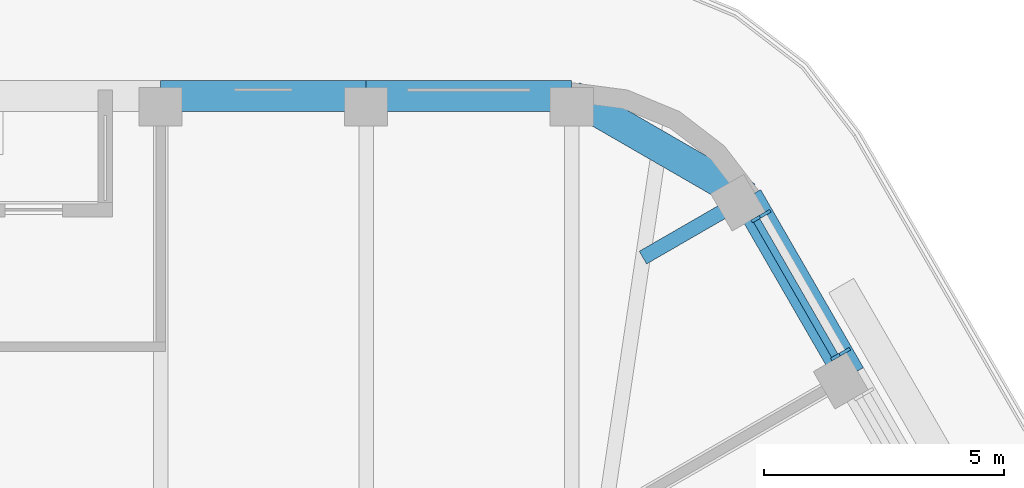
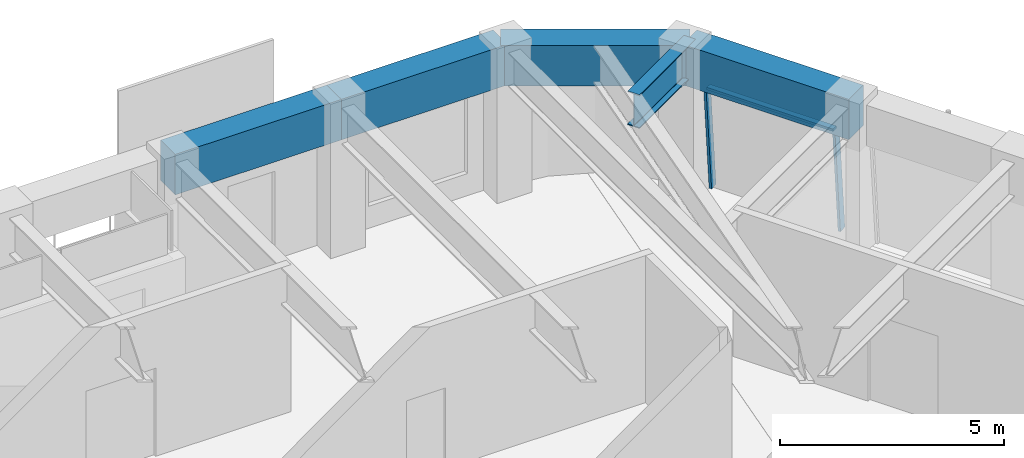
# One storey, part 11 of 19: 5 beams, 3 members, 1 element without a shape of its own.
"""IFC4 building model written with IfcOpenShell, lengths in metres."""

import ifcopenshell
import ifcopenshell.guid

model = None  # the IFC model being written
_history = None  # IfcOwnerHistory: only IFC2X3 demands one
_inside = {}  # id of a spatial element -> (the spatial element, [elements in it])
_under = {}  # id of a project, library or spatial element -> (it, [spatial elements below it])
_declared = {}  # id of a project -> (the project, [libraries it declares])
_typed = {}  # id of a type object -> (the type object, [elements of that type])
_made_of = {}  # id of a material, layer set ... -> (it, [elements and type objects made of it])


def new_model(schema):
    """Start an empty IFC model of exactly this schema.

    Asked for "IFC4X3", IfcOpenShell would pick the latest addendum, in which some entities
    have other attributes; the version numbers below select the first issue.
    IFC2X3 requires an IfcOwnerHistory on every rooted entity: one is made here for all.
    """
    global model, _history
    if schema == "IFC4X3":
        model = ifcopenshell.file(schema_version=(4, 3, 0, 0))
    else:
        model = ifcopenshell.file(schema=schema)
    _inside.clear()
    _under.clear()
    _declared.clear()
    _typed.clear()
    _made_of.clear()
    _history = None
    if model.schema == "IFC2X3":
        org = make("IfcOrganization", Name="unknown")
        user = make(
            "IfcPersonAndOrganization",
            ThePerson=make("IfcPerson", FamilyName="unknown"),
            TheOrganization=org,
        )
        app = make(
            "IfcApplication",
            ApplicationDeveloper=org,
            Version="unknown",
            ApplicationFullName="unknown",
            ApplicationIdentifier="unknown",
        )
        _history = make(
            "IfcOwnerHistory",
            OwningUser=user,
            OwningApplication=app,
            ChangeAction="ADDED",
            CreationDate=0,
        )
    return model


def make(cls, **values):
    """One entity of the class cls with the attributes given. An attribute that is None is left unset."""
    return model.create_entity(
        cls, **{name: value for name, value in values.items() if value is not None}
    )


def rooted(cls, **values):
    """An entity with a GlobalId (a new one), such as an element, a storey or a relation."""
    return make(cls, GlobalId=ifcopenshell.guid.new(), OwnerHistory=_history, **values)


def si_unit(unit_type, name, prefix=None):
    """IfcSIUnit, for example si_unit("LENGTHUNIT", "METRE", prefix="MILLI")."""
    return make("IfcSIUnit", UnitType=unit_type, Prefix=prefix, Name=name)


def assignment(units):
    """IfcUnitAssignment: the units of a project."""
    return None if units is None else make("IfcUnitAssignment", Units=units)


def point(xyz):
    """IfcCartesianPoint."""
    return None if xyz is None else make("IfcCartesianPoint", Coordinates=xyz)


def direction(xyz):
    """IfcDirection."""
    return None if xyz is None else make("IfcDirection", DirectionRatios=xyz)


def frame(location, z_axis=None, x_axis=None):
    """IfcAxis2Placement3D, a coordinate frame: its origin and axes. An axis left out is left unset."""
    return make(
        "IfcAxis2Placement3D",
        Location=point(location),
        Axis=direction(z_axis),
        RefDirection=direction(x_axis),
    )


def frame_2d(location, x_axis=None):
    """IfcAxis2Placement2D, a coordinate frame in the plane: its origin and x axis."""
    return make(
        "IfcAxis2Placement2D", Location=point(location), RefDirection=direction(x_axis)
    )


def origin():
    """The frame at (0, 0, 0) with its axes left unset."""
    return frame((0.0, 0.0, 0.0))


def origin_2d():
    """The frame at (0, 0) in the plane with its x axis left unset."""
    return frame_2d((0.0, 0.0))


def place(relative_to, where):
    """IfcLocalPlacement: puts the frame where relative to a parent placement (None: the world)."""
    return make(
        "IfcLocalPlacement", PlacementRelTo=relative_to, RelativePlacement=where
    )


def context(
    kind, dimensions, precision=None, world=None, true_north=None, identifier=None
):
    """IfcGeometricRepresentationContext, for example the 3D "Model" context."""
    return make(
        "IfcGeometricRepresentationContext",
        ContextIdentifier=identifier,
        ContextType=kind,
        CoordinateSpaceDimension=dimensions,
        Precision=precision,
        WorldCoordinateSystem=world,
        TrueNorth=true_north,
    )


def subcontext(parent, identifier, kind, view, scale=None):
    """IfcGeometricRepresentationSubContext, for example "Body" below "Model"."""
    return make(
        "IfcGeometricRepresentationSubContext",
        ContextIdentifier=identifier,
        ContextType=kind,
        ParentContext=parent,
        TargetScale=scale,
        TargetView=view,
    )


def project(units=None, contexts=None):
    """IfcProject with its units and contexts."""
    return rooted(
        "IfcProject",
        Name="project",
        RepresentationContexts=contexts,
        UnitsInContext=assignment(units),
    )


def spatial(cls, under=None, at=None, **own):
    """A site, building, storey or space (cls), placed at a placement, below another one or the project."""
    s = rooted(cls, ObjectPlacement=at, **own)
    if under is not None:
        _under.setdefault(under.id(), (under, []))[1].append(s)
    return s


def profile(cls, at=None, kind="AREA", **sizes):
    """A parametric profile (cls). Its sizes go by their IFC names, for example OverallWidth=200.0."""
    return make(cls, ProfileType=kind, Position=at, **sizes)


def rectangle(**sizes):
    """IfcRectangleProfileDef."""
    return profile("IfcRectangleProfileDef", **sizes)


def i_section(**sizes):
    """IfcIShapeProfileDef."""
    return profile("IfcIShapeProfileDef", **sizes)


def extrude(swept, where, along, depth):
    """IfcExtrudedAreaSolid: the profile swept, set in the frame where, extruded along a direction by depth."""
    return make(
        "IfcExtrudedAreaSolid",
        SweptArea=swept,
        Position=where,
        ExtrudedDirection=direction(along),
        Depth=depth,
    )


def shape(context_of_items, identifier, shape_type, items):
    """IfcShapeRepresentation: the items that make up one representation, for example the "Body"."""
    return make(
        "IfcShapeRepresentation",
        ContextOfItems=context_of_items,
        RepresentationIdentifier=identifier,
        RepresentationType=shape_type,
        Items=items,
    )


def material(Name=None, Category=None):
    """IfcMaterial."""
    return make("IfcMaterial", Name=Name, Category=Category)


def material_profile(
    of_material, cross_section, Name=None, Category=None, Priority=None
):
    """IfcMaterialProfile: a cross section and its material."""
    return make(
        "IfcMaterialProfile",
        Name=Name,
        Material=of_material,
        Profile=cross_section,
        Priority=Priority,
        Category=Category,
    )


def profile_set(profiles, Name=None, composite=None):
    """IfcMaterialProfileSet."""
    return make(
        "IfcMaterialProfileSet",
        Name=Name,
        MaterialProfiles=profiles,
        CompositeProfile=composite,
    )


def made_of(thing, what):
    """Note that an element or type object is made of a material, layer set ...; save() writes the relation."""
    if what is not None:
        _made_of.setdefault(what.id(), (what, []))[1].append(thing)
    return thing


def type_object(cls, material=None, **own):
    """A type object (cls), such as IfcWallType, which elements share."""
    return made_of(rooted(cls, **own), material)


def element(
    cls,
    number,
    at=None,
    inside=None,
    cuts=None,
    type_object=None,
    material=None,
    context=None,
    identifier="Body",
    shape_type=None,
    held_by="IfcProductDefinitionShape",
    body=None,
    shapes=None,
    **own,
):
    """One element of the class cls, such as IfcWall. Its Tag is "e" and its number.

    at: its placement. inside: the storey or other place that contains it. cuts: it is an
    opening in that element (IfcRelVoidsElement). A single representation is given by context,
    identifier, shape_type and body (its items); several are given by shapes. held_by: the class
    of the entity that holds the representations. save() writes the other relations.
    """
    e = rooted(cls, Tag="e%d" % number, ObjectPlacement=at, **own)
    if body is not None:
        shapes = [shape(context, identifier, shape_type, body)]
    if shapes is not None:
        e.Representation = make(held_by, Representations=shapes)
    if inside is not None:
        _inside.setdefault(inside.id(), (inside, []))[1].append(e)
    if cuts is not None:
        rooted(
            "IfcRelVoidsElement", RelatingBuildingElement=cuts, RelatedOpeningElement=e
        )
    if type_object is not None:
        _typed.setdefault(type_object.id(), (type_object, []))[1].append(e)
    return made_of(e, material)


def aggregate(whole, parts):
    """IfcRelAggregates: a whole, such as a stair, and the parts it consists of."""
    return rooted("IfcRelAggregates", RelatingObject=whole, RelatedObjects=parts)


def save(model, path):
    """Write the relations noted so far, then the file.

    IfcRelAggregates (storeys below a building ...), IfcRelContainedInSpatialStructure (elements
    in a storey), IfcRelDefinesByType, IfcRelAssociatesMaterial and IfcRelDeclares: one each for
    every whole, place, type object, material and project.
    """
    for whole, parts in _under.values():
        aggregate(whole, parts)
    for where, things in _inside.values():
        rooted(
            "IfcRelContainedInSpatialStructure",
            RelatedElements=things,
            RelatingStructure=where,
        )
    for kind, things in _typed.values():
        rooted("IfcRelDefinesByType", RelatedObjects=things, RelatingType=kind)
    for what, things in _made_of.values():
        rooted("IfcRelAssociatesMaterial", RelatedObjects=things, RelatingMaterial=what)
    for by, libraries in _declared.values():
        rooted("IfcRelDeclares", RelatingContext=by, RelatedDefinitions=libraries)
    model.write(path)


model = new_model("IFC4")

# Units and contexts
model_context = context("Model", 3, precision=1e-05, world=origin(), true_north=direction((0.0, 1.0)))
body_context = subcontext(model_context, "Body", "Model", "MODEL_VIEW")
ifc_project = project(units=[si_unit("LENGTHUNIT", "METRE"), si_unit("AREAUNIT", "SQUARE_METRE"), si_unit("VOLUMEUNIT", "CUBIC_METRE"), si_unit("PLANEANGLEUNIT", "RADIAN"), si_unit("MASSUNIT", "GRAM", prefix="KILO")], contexts=[model_context])

# Site, building, storey
site_placement = place(None, origin())
site = spatial("IfcSite", under=ifc_project, at=site_placement, CompositionType="ELEMENT")
building_placement = place(site_placement, origin())
building = spatial("IfcBuilding", under=site, at=building_placement, Name="Tarfa Lantern Tower", CompositionType="ELEMENT")
storey_placement = place(building_placement, frame((0.0, 0.0, 353.5)))
storey = spatial("IfcBuildingStorey", under=building, at=storey_placement, Name="L80", CompositionType="ELEMENT", Elevation=353.5)

# Curtain wall, members
ifc_material_1 = material(Name="Aluminium framed curtain wall", Category="aluminium")
curtain_wall_type = type_object("IfcCurtainWallType", Name="CW4 CANTED GLAZING EXECUTIVE ZONE 2900", PredefinedType="USERDEFINED", material=ifc_material_1)
curtain_wall_placement = place(storey_placement, origin())
curtain_wall = element("IfcCurtainWall", 1, at=curtain_wall_placement, inside=storey, type_object=curtain_wall_type, Name="CW4 NE L80", ObjectType="CURTAIN WALL", PredefinedType="USERDEFINED")
ifc_material_2 = material(Name="Aluminium mullion", Category="aluminium")
ifc_material_profile_1 = material_profile(ifc_material_2, rectangle(XDim=0.06494140625, YDim=0.199951171875, at=origin_2d()), Name="AL MULLION 65x200")
ifc_profile_set_1 = profile_set([ifc_material_profile_1], Name="Aluminium mullion")
member_type_1 = type_object("IfcMemberType", Name="CWM1 MULLION 65x200", PredefinedType="MULLION", material=ifc_profile_set_1)
member_1_placement = place(storey_placement, frame((18.556396484375, 21.159423828125, 0.0), z_axis=(-0.074399820079, -0.042945555672, 0.996303340364), x_axis=(0.499919672301, -0.866071776036, 0.0)))
member_1 = element("IfcMember", 2, at=member_1_placement, type_object=member_type_1, Name="CW4 mullion 1", PredefinedType="MULLION", context=body_context, shape_type="SweptSolid", body=[
    extrude(rectangle(XDim=0.06494140625, YDim=0.199951171875, at=origin_2d()), origin(), (0.0, 0.0, 1.0), 2.91064453125),
])
member_2_placement = place(storey_placement, frame((16.897705078125, 24.0322265625, 0.0), z_axis=(-0.074316405553, -0.042945823525, 0.996309554359), x_axis=(0.500342721131, -0.865827443207, 0.0)))
member_2 = element("IfcMember", 3, at=member_2_placement, type_object=member_type_1, Name="CW4 mullion 2", PredefinedType="MULLION", context=body_context, shape_type="SweptSolid", body=[
    extrude(rectangle(XDim=0.06494140625, YDim=0.199951171875, at=origin_2d()), origin(), (0.0, 0.0, 1.0), 2.91064453125),
])
ifc_material_3 = material(Name="Aluminium transom", Category="aluminium")
ifc_material_profile_2 = material_profile(ifc_material_3, rectangle(XDim=0.14990234375, YDim=0.06494140625, at=origin_2d()), Name="AL TRANSOM 150x65")
ifc_profile_set_2 = profile_set([ifc_material_profile_2], Name="Aluminium transom")
member_type_2 = type_object("IfcMemberType", Name="CWT1 TRANSOM 150x65", PredefinedType="USERDEFINED", material=ifc_profile_set_2)
member_3_placement = place(storey_placement, frame((18.325927734375, 21.06396484375, 2.867431640625), z_axis=(-0.499982393232, 0.866035568818, 0.0), x_axis=(-0.866035568818, -0.499982393232, 0.0)))
member_3 = element("IfcMember", 4, at=member_3_placement, type_object=member_type_2, Name="CW4 transom 1.2", ObjectType="TRANSOM", PredefinedType="USERDEFINED", context=body_context, shape_type="SweptSolid", body=[
    extrude(rectangle(XDim=0.14990234375, YDim=0.06494140625, at=origin_2d()), origin(), (0.0, 0.0, 1.0), 3.251953125),
])
aggregate(curtain_wall, [member_1, member_2, member_3])

# Beams
ifc_material_4 = material(Name="Concrete C80/95", Category="concrete")
ifc_material_profile_3 = material_profile(ifc_material_4, rectangle(XDim=0.64990234375, YDim=1.10009765625, at=origin_2d()), Name="RC 650x1100")
ifc_profile_set_3 = profile_set([ifc_material_profile_3], Name="Concrete C80/95")
beam_type_1 = type_object("IfcBeamType", Name="EB4 RC 650x1100", PredefinedType="SPANDREL", material=ifc_profile_set_3)
beam_1_placement = place(storey_placement, frame((18.6416015625, 20.651611328125, 3.449951171875), z_axis=(-0.499959351497, 0.866048870937, 0.0), x_axis=(-0.866048870937, -0.499959351497, 0.0)))
element("IfcBeam", 5, at=beam_1_placement, inside=storey, type_object=beam_type_1, Name="Edge beam NE5", PredefinedType="SPANDREL", context=body_context, shape_type="SweptSolid", body=[
    extrude(rectangle(XDim=0.64990234375, YDim=1.10009765625, at=origin_2d()), origin(), (0.0, 0.0, 1.0), 4.281982421875),
])
beam_2_placement = place(storey_placement, frame((16.500732421875, 24.360107421875, 3.449951171875), z_axis=(-0.866048788483, 0.499959494327, 0.0), x_axis=(-0.499959494327, -0.866048788483, 0.0)))
element("IfcBeam", 6, at=beam_2_placement, inside=storey, type_object=beam_type_1, Name="Edge beam NE6", PredefinedType="SPANDREL", context=body_context, shape_type="SweptSolid", body=[
    extrude(rectangle(XDim=0.64990234375, YDim=1.10009765625, at=origin_2d()), origin(), (0.0, 0.0, 1.0), 4.219970703125),
])
for number, where, z_axis, x_axis, name in (
    (7, (12.845947265625, 26.469970703125, 3.449951171875), (-1.0, 0.0, 0.0), (0.0, -1.0, 0.0), "Edge beam N0"),
    (8, (8.56396484375, 26.469970703125, 3.449951171875), (-1.0, 0.0, 0.0), (0.0, -1.0, 0.0), "Edge beam N1"),
):
    element("IfcBeam", number, at=place(storey_placement, frame(where, z_axis=z_axis, x_axis=x_axis)), inside=storey, type_object=beam_type_1, Name=name, PredefinedType="SPANDREL", context=body_context, shape_type="SweptSolid", body=[
        extrude(rectangle(XDim=0.64990234375, YDim=1.10009765625, at=origin_2d()), origin(), (0.0, 0.0, 1.0), 4.281982421875),
    ])
ifc_material_5 = material(Name="Steel S460M", Category="steel")
ifc_material_profile_4 = material_profile(ifc_material_5, i_section(OverallWidth=0.305419921875, OverallDepth=0.91845703125, WebThickness=0.017333984375, FlangeThickness=0.02783203125, FilletRadius=0.01904296875, at=origin_2d()), Name="UB914x305x253")
ifc_profile_set_4 = profile_set([ifc_material_profile_4], Name="Steel S460M")
beam_type_2 = type_object("IfcBeamType", Name="UB914x305x253", PredefinedType="BEAM", material=ifc_profile_set_4)
beam_3_placement = place(storey_placement, frame((16.500732421875, 24.360107421875, 3.540771484375), z_axis=(-0.865992557167, -0.500056887695, 0.0), x_axis=(0.500056887695, -0.865992557167, 0.0)))
element("IfcBeam", 9, at=beam_3_placement, inside=storey, type_object=beam_type_2, Name="Floor beam NE6", PredefinedType="BEAM", context=body_context, shape_type="SweptSolid", body=[
    extrude(i_section(OverallWidth=0.305419921875, OverallDepth=0.91845703125, WebThickness=0.017333984375, FlangeThickness=0.02783203125, FilletRadius=0.01904296875, at=origin_2d()), origin(), (0.0, 0.0, 1.0), 2.506591796875),
])

save(model, "model.ifc")
